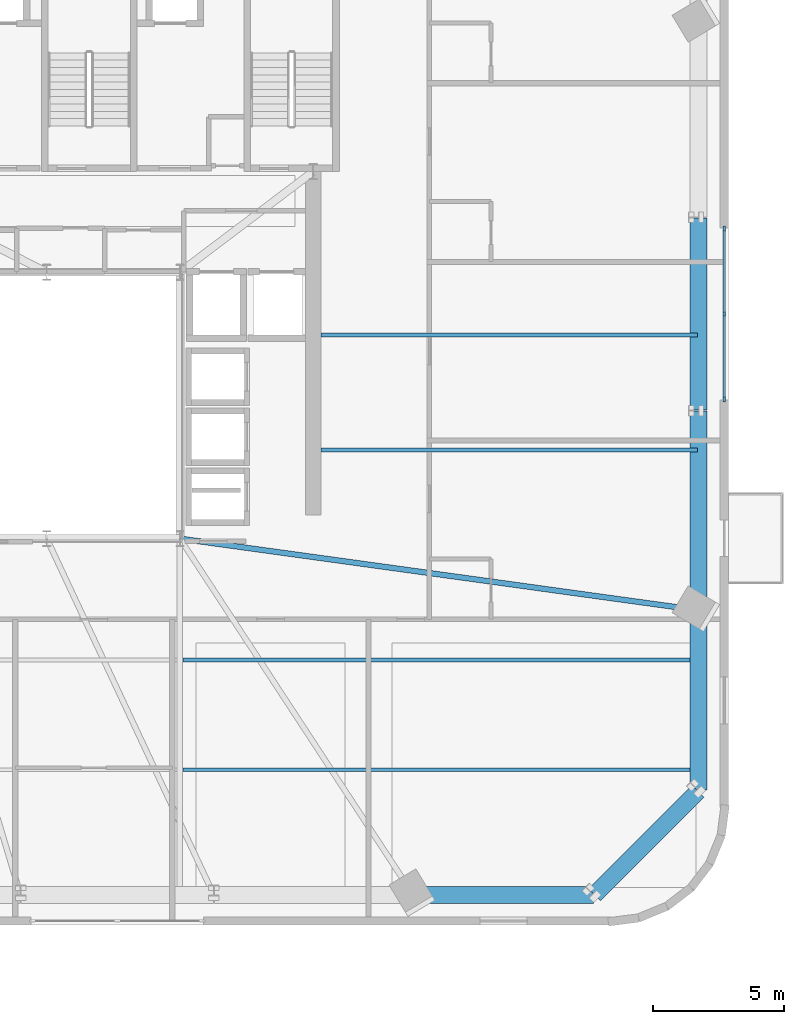
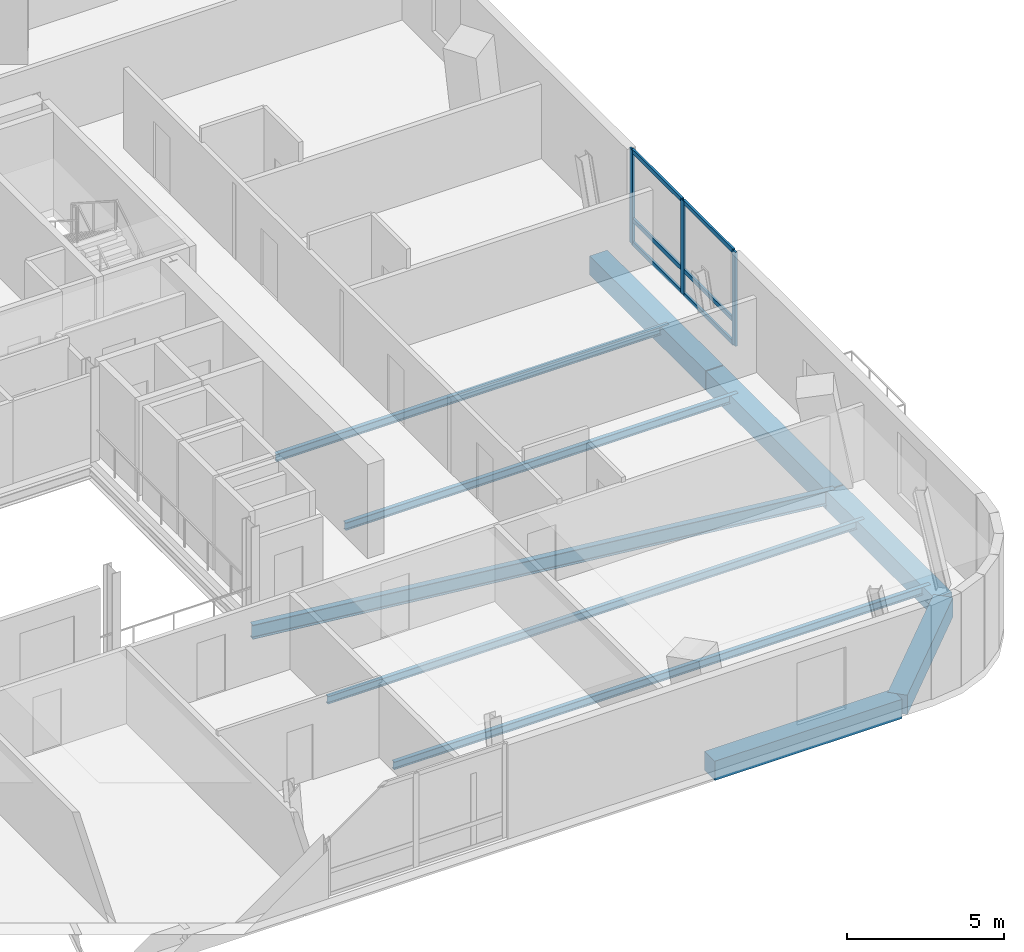
# One storey, part 4 of 12: 10 beams, 9 members, 1 element without a shape of its own.
"""IFC4 building model written with IfcOpenShell, lengths in metres."""

from ifc_helpers import new_model, si_unit, direction, frame, origin, origin_2d, place, context, subcontext, project, spatial, rectangle, i_section, extrude, source, transform, mapped, material, material_profile, profile_set, type_object, element, aggregate, save


model = new_model("IFC4")

# Units and contexts
model_context = context("Model", 3, precision=1e-05, world=origin(), true_north=direction((0.0, 1.0)))
body_context = subcontext(model_context, "Body", "Model", "MODEL_VIEW")
ifc_project = project(units=[si_unit("LENGTHUNIT", "METRE"), si_unit("AREAUNIT", "SQUARE_METRE"), si_unit("VOLUMEUNIT", "CUBIC_METRE"), si_unit("PLANEANGLEUNIT", "RADIAN"), si_unit("MASSUNIT", "GRAM", prefix="KILO")], contexts=[model_context])

# Site, building, storey
site_placement = place(None, origin())
site = spatial("IfcSite", under=ifc_project, at=site_placement, CompositionType="ELEMENT")
building_placement = place(site_placement, origin())
building = spatial("IfcBuilding", under=site, at=building_placement, Name="Vardaveli Station Tower", CompositionType="ELEMENT")
storey_placement = place(building_placement, frame((0.0, 0.0, 254.550048828125)))
storey = spatial("IfcBuildingStorey", under=building, at=storey_placement, Name="L65", CompositionType="ELEMENT", Elevation=254.550048828125)

# Beams
ifc_material_1 = material(Name="Precast concrete C45/55", Category="concrete")
ifc_material_profile_1 = material_profile(ifc_material_1, rectangle(XDim=0.64990234375, YDim=0.75, at=origin_2d()), Name="LPB 650x750")
ifc_profile_set_1 = profile_set([ifc_material_profile_1], Name="Precast concrete C45/55")
beam_type_1 = type_object("IfcBeamType", Name="BM-LPB-750", PredefinedType="BEAM", material=ifc_profile_set_1)
shared_shape_1 = source(origin(), body_context, "Body", "SweptSolid", [
    extrude(rectangle(XDim=0.64990234375, YDim=0.75, at=origin_2d()), origin(), (0.0, 0.0, 1.0), 7.60009765625),
])
beam_1_placement = place(storey_placement, frame((61.25, 13.8798828125, -0.675048828125), z_axis=(0.0, 1.0, 0.0), x_axis=(-1.0, 0.0, 0.0)))
element("IfcBeam", 1, at=beam_1_placement, inside=storey, type_object=beam_type_1, Name="RBM-L65-07", PredefinedType="BEAM", context=body_context, shape_type="MappedRepresentation", body=[
    mapped(shared_shape_1, transform((0.0, 0.0, 0.0), scale=1.0)),
])
shared_shape_2 = source(origin(), body_context, "Body", "SweptSolid", [
    extrude(rectangle(XDim=0.64990234375, YDim=0.75, at=origin_2d()), origin(), (0.0, 0.0, 1.0), 7.35986328125),
])
beam_2_placement = place(storey_placement, frame((61.25, 21.52001953125, -0.675048828125), z_axis=(0.0, 1.0, 0.0), x_axis=(-1.0, 0.0, 0.0)))
element("IfcBeam", 2, at=beam_2_placement, inside=storey, type_object=beam_type_1, Name="RBM-L65-08", PredefinedType="BEAM", context=body_context, shape_type="MappedRepresentation", body=[
    mapped(shared_shape_2, transform((0.0, 0.0, 0.0), scale=1.0)),
])
shared_shape_3 = source(origin(), body_context, "Body", "SweptSolid", [
    extrude(rectangle(XDim=0.64990234375, YDim=0.75, at=origin_2d()), origin(), (0.0, 0.0, 1.0), 6.869873046875),
])
beam_3_placement = place(storey_placement, frame((50.360107421875, 2.949951171875, -0.675048828125), z_axis=(1.0, 0.0, 0.0), x_axis=(0.0, 1.0, 0.0)))
element("IfcBeam", 3, at=beam_3_placement, inside=storey, type_object=beam_type_1, Name="RBM-L65-04", PredefinedType="BEAM", context=body_context, shape_type="MappedRepresentation", body=[
    mapped(shared_shape_3, transform((0.0, 0.0, 0.0), scale=1.0)),
])
shared_shape_4 = source(origin(), body_context, "Body", "SweptSolid", [
    extrude(rectangle(XDim=0.64990234375, YDim=0.75, at=origin_2d()), origin(), (0.0, 0.0, 1.0), 5.61669921875),
])
beam_4_placement = place(storey_placement, frame((57.26416015625, 2.964111328125, -0.675048828125), z_axis=(0.707106781187, 0.707106781187, 0.0), x_axis=(-0.707106781187, 0.707106781187, 0.0)))
element("IfcBeam", 4, at=beam_4_placement, inside=storey, type_object=beam_type_1, Name="RBM-L65-05", PredefinedType="BEAM", context=body_context, shape_type="MappedRepresentation", body=[
    mapped(shared_shape_4, transform((0.0, 0.0, 0.0), scale=1.0)),
])
shared_shape_5 = source(origin(), body_context, "Body", "SweptSolid", [
    extrude(rectangle(XDim=0.64990234375, YDim=0.75, at=origin_2d()), origin(), (0.0, 0.0, 1.0), 6.8701171875),
])
beam_5_placement = place(storey_placement, frame((61.25, 6.969970703125, -0.675048828125), z_axis=(0.0, 1.0, 0.0), x_axis=(-1.0, 0.0, 0.0)))
element("IfcBeam", 5, at=beam_5_placement, inside=storey, type_object=beam_type_1, Name="RBM-L65-06", PredefinedType="BEAM", context=body_context, shape_type="MappedRepresentation", body=[
    mapped(shared_shape_5, transform((0.0, 0.0, 0.0), scale=1.0)),
])
ifc_material_2 = material(Name="Structural steel S355J2", Category="steel")
ifc_material_profile_2 = material_profile(ifc_material_2, i_section(OverallWidth=0.2099609375, OverallDepth=0.550048828125, WebThickness=0.010986328125, FlangeThickness=0.01708984375, FilletRadius=0.02392578125, at=origin_2d()), Name="IPE 550")
ifc_profile_set_2 = profile_set([ifc_material_profile_2], Name="Structural steel S355J2")
beam_type_2 = type_object("IfcBeamType", Name="BM-IPE550", PredefinedType="BEAM", material=ifc_profile_set_2)
shared_shape_6 = source(origin(), body_context, "Body", "SweptSolid", [
    extrude(i_section(OverallWidth=0.2099609375, OverallDepth=0.550048828125, WebThickness=0.010986328125, FlangeThickness=0.01708984375, FilletRadius=0.02392578125, at=origin_2d()), origin(), (0.0, 0.0, 1.0), 19.998046875),
])
beam_6_placement = place(storey_placement, frame((61.230224609375, 13.86279296875, -0.574951171875), z_axis=(-0.9906081331, 0.136731586098, 0.0), x_axis=(-0.136731586098, -0.9906081331, 0.0)))
element("IfcBeam", 6, at=beam_6_placement, inside=storey, type_object=beam_type_2, Name="GBM-L65-05", PredefinedType="BEAM", context=body_context, shape_type="MappedRepresentation", body=[
    mapped(shared_shape_6, transform((0.0, 0.0, 0.0), scale=1.0)),
])
ifc_material_profile_3 = material_profile(ifc_material_2, i_section(OverallWidth=0.14990234375, OverallDepth=0.300048828125, WebThickness=0.007080078125, FlangeThickness=0.0107421875, FilletRadius=0.014892578125, at=origin_2d()), Name="IPE 300")
ifc_profile_set_3 = profile_set([ifc_material_profile_3], Name="Structural steel S355J2")
beam_type_3 = type_object("IfcBeamType", Name="BM-IPE300", PredefinedType="JOIST", material=ifc_profile_set_3)
shared_shape_7 = source(origin(), body_context, "Body", "SweptSolid", [
    extrude(i_section(OverallWidth=0.14990234375, OverallDepth=0.300048828125, WebThickness=0.007080078125, FlangeThickness=0.0107421875, FilletRadius=0.014892578125, at=origin_2d()), origin(), (0.0, 0.0, 1.0), 19.697998046875),
])
for number, where, z_axis, x_axis, name in (
    (7, (41.511962890625, 7.75, -0.449951171875), (1.0, 0.0, 0.0), (0.0, 1.0, 0.0), "SJ-L65-S03"),
    (8, (41.511962890625, 11.949951171875, -0.449951171875), (1.0, 0.0, 0.0), (0.0, 1.0, 0.0), "SJ-L65-S06"),
):
    element("IfcBeam", number, at=place(storey_placement, frame(where, z_axis=z_axis, x_axis=x_axis)), inside=storey, type_object=beam_type_3, Name=name, PredefinedType="JOIST", context=body_context, shape_type="MappedRepresentation", body=[
        mapped(shared_shape_7, transform((0.0, 0.0, 0.0), scale=1.0)),
    ])
shared_shape_8 = source(origin(), body_context, "Body", "SweptSolid", [
    extrude(i_section(OverallWidth=0.14990234375, OverallDepth=0.300048828125, WebThickness=0.007080078125, FlangeThickness=0.0107421875, FilletRadius=0.014892578125, at=origin_2d()), origin(), (0.0, 0.0, 1.0), 14.405029296875),
])
for number, where, z_axis, x_axis, name in (
    (9, (46.804931640625, 20.0, -0.449951171875), (1.0, 0.0, 0.0), (0.0, 1.0, 0.0), "SJ-L65-E09"),
    (10, (46.804931640625, 24.39990234375, -0.449951171875), (1.0, 0.0, 0.0), (0.0, 1.0, 0.0), "SJ-L65-E10"),
):
    element("IfcBeam", number, at=place(storey_placement, frame(where, z_axis=z_axis, x_axis=x_axis)), inside=storey, type_object=beam_type_3, Name=name, PredefinedType="JOIST", context=body_context, shape_type="MappedRepresentation", body=[
        mapped(shared_shape_8, transform((0.0, 0.0, 0.0), scale=1.0)),
    ])

# Curtain wall, members
ifc_material_3 = material(Name="Travertine stone and solar-control glass", Category="masonry")
curtain_wall_type = type_object("IfcCurtainWallType", Name="CW-SYS-5", PredefinedType="NOTDEFINED", material=ifc_material_3)
curtain_wall_placement = place(storey_placement, origin())
curtain_wall = element("IfcCurtainWall", 11, at=curtain_wall_placement, inside=storey, type_object=curtain_wall_type, Name="CW-L65-E", PredefinedType="NOTDEFINED")
ifc_material_4 = material(Name="Anodised aluminium alloy 6063-T6", Category="aluminium")
ifc_material_profile_4 = material_profile(ifc_material_4, rectangle(XDim=0.080078125, YDim=0.1650390625, at=origin_2d()), Name="CWT 80x165")
ifc_profile_set_4 = profile_set([ifc_material_profile_4], Name="Anodised aluminium alloy 6063-T6")
member_type_1 = type_object("IfcMemberType", Name="CW-SYS-5-TRAN", PredefinedType="NOTDEFINED", material=ifc_profile_set_4)
shared_shape_9 = source(origin(), body_context, "Body", "SweptSolid", [
    extrude(rectangle(XDim=0.080078125, YDim=0.1650390625, at=origin_2d()), origin(), (0.0, 0.0, 1.0), 3.179931640625),
])
member_1_placement = place(storey_placement, frame((62.239990234375, 21.97998046875, 0.0400390625), z_axis=(0.0, 1.0, 0.0), x_axis=(-1.0, 0.0, 0.0)))
member_1 = element("IfcMember", 12, at=member_1_placement, type_object=member_type_1, Name="CW-5 transom 1.1", ObjectType="TRANSOM", PredefinedType="USERDEFINED", context=body_context, shape_type="MappedRepresentation", body=[
    mapped(shared_shape_9, transform((0.0, 0.0, 0.0), scale=1.0)),
])
member_2_placement = place(storey_placement, frame((62.239990234375, 21.97998046875, 0.949951171875), z_axis=(0.0, 1.0, 0.0), x_axis=(-1.0, 0.0, 0.0)))
member_2 = element("IfcMember", 13, at=member_2_placement, type_object=member_type_1, Name="CW-5 transom 1.2", ObjectType="TRANSOM", PredefinedType="USERDEFINED", context=body_context, shape_type="MappedRepresentation", body=[
    mapped(shared_shape_9, transform((0.0, 0.0, 0.0), scale=1.0)),
])
member_3_placement = place(storey_placement, frame((62.239990234375, 21.97998046875, 3.60986328125), z_axis=(0.0, 1.0, 0.0), x_axis=(-1.0, 0.0, 0.0)))
member_3 = element("IfcMember", 14, at=member_3_placement, type_object=member_type_1, Name="CW-5 transom 1.3", ObjectType="TRANSOM", PredefinedType="USERDEFINED", context=body_context, shape_type="MappedRepresentation", body=[
    mapped(shared_shape_9, transform((0.0, 0.0, 0.0), scale=1.0)),
])
member_4_placement = place(storey_placement, frame((62.239990234375, 25.239990234375, 0.0400390625), z_axis=(0.0, 1.0, 0.0), x_axis=(-1.0, 0.0, 0.0)))
member_4 = element("IfcMember", 15, at=member_4_placement, type_object=member_type_1, Name="CW-5 transom 2.1", ObjectType="TRANSOM", PredefinedType="USERDEFINED", context=body_context, shape_type="MappedRepresentation", body=[
    mapped(shared_shape_9, transform((0.0, 0.0, 0.0), scale=1.0)),
])
member_5_placement = place(storey_placement, frame((62.239990234375, 25.239990234375, 0.949951171875), z_axis=(0.0, 1.0, 0.0), x_axis=(-1.0, 0.0, 0.0)))
member_5 = element("IfcMember", 16, at=member_5_placement, type_object=member_type_1, Name="CW-5 transom 2.2", ObjectType="TRANSOM", PredefinedType="USERDEFINED", context=body_context, shape_type="MappedRepresentation", body=[
    mapped(shared_shape_9, transform((0.0, 0.0, 0.0), scale=1.0)),
])
member_6_placement = place(storey_placement, frame((62.239990234375, 25.239990234375, 3.60986328125), z_axis=(0.0, 1.0, 0.0), x_axis=(-1.0, 0.0, 0.0)))
member_6 = element("IfcMember", 17, at=member_6_placement, type_object=member_type_1, Name="CW-5 transom 2.3", ObjectType="TRANSOM", PredefinedType="USERDEFINED", context=body_context, shape_type="MappedRepresentation", body=[
    mapped(shared_shape_9, transform((0.0, 0.0, 0.0), scale=1.0)),
])
ifc_material_profile_5 = material_profile(ifc_material_4, rectangle(XDim=0.080078125, YDim=0.205078125, at=origin_2d()), Name="CWM 80x205")
ifc_profile_set_5 = profile_set([ifc_material_profile_5], Name="Anodised aluminium alloy 6063-T6")
member_type_2 = type_object("IfcMemberType", Name="CW-SYS-5-MULL", PredefinedType="MULLION", material=ifc_profile_set_5)
shared_shape_10 = source(origin(), body_context, "Body", "SweptSolid", [
    extrude(rectangle(XDim=0.080078125, YDim=0.205078125, at=origin_2d()), origin(), (0.0, 0.0, 1.0), 3.64990234375),
])
member_7_placement = place(storey_placement, frame((62.239990234375, 21.93994140625, 0.0), z_axis=(0.0, 0.0, 1.0), x_axis=(-1.0, 0.0, 0.0)))
member_7 = element("IfcMember", 18, at=member_7_placement, type_object=member_type_2, Name="CW-5 mullion 1", PredefinedType="MULLION", context=body_context, shape_type="MappedRepresentation", body=[
    mapped(shared_shape_10, transform((0.0, 0.0, 0.0), scale=1.0)),
])
member_8_placement = place(storey_placement, frame((62.239990234375, 25.199951171875, 0.0), z_axis=(0.0, 0.0, 1.0), x_axis=(-1.0, 0.0, 0.0)))
member_8 = element("IfcMember", 19, at=member_8_placement, type_object=member_type_2, Name="CW-5 mullion 2", PredefinedType="MULLION", context=body_context, shape_type="MappedRepresentation", body=[
    mapped(shared_shape_10, transform((0.0, 0.0, 0.0), scale=1.0)),
])
member_9_placement = place(storey_placement, frame((62.239990234375, 28.4599609375, 0.0), z_axis=(0.0, 0.0, 1.0), x_axis=(-1.0, 0.0, 0.0)))
member_9 = element("IfcMember", 20, at=member_9_placement, type_object=member_type_2, Name="CW-5 mullion 3", PredefinedType="MULLION", context=body_context, shape_type="MappedRepresentation", body=[
    mapped(shared_shape_10, transform((0.0, 0.0, 0.0), scale=1.0)),
])
aggregate(curtain_wall, [member_7, member_8, member_9, member_1, member_2, member_3, member_4, member_5, member_6])

save(model, "model.ifc")
